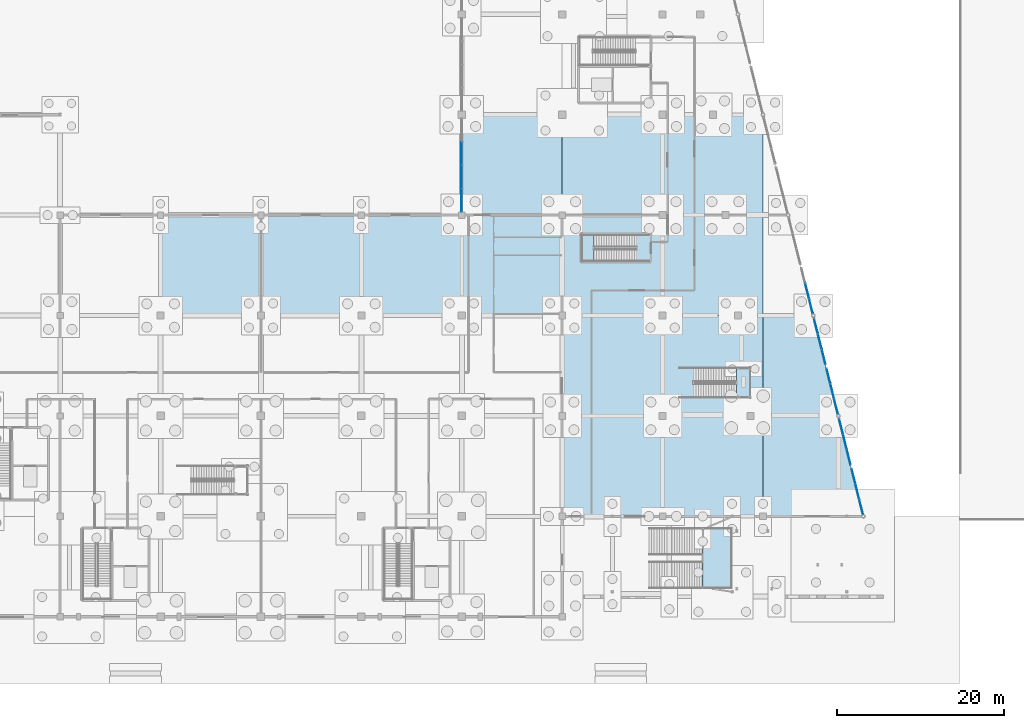
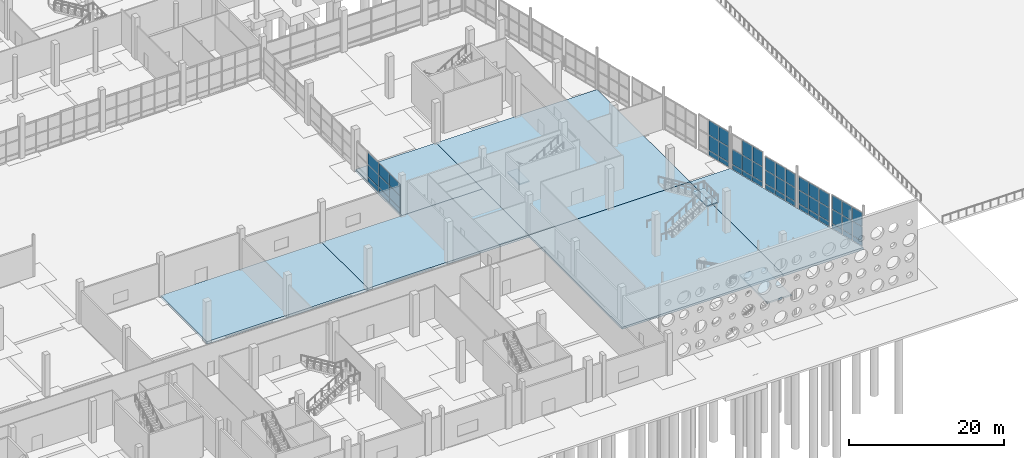
# One storey, part 66 of 117: 50 plates, 9 slabs, 9 elements without a shape of their own.
"""IFC4 building model written with IfcOpenShell, lengths in metres."""

import ifcopenshell
import ifcopenshell.guid

model = None  # the IFC model being written
_history = None  # IfcOwnerHistory: only IFC2X3 demands one
_inside = {}  # id of a spatial element -> (the spatial element, [elements in it])
_under = {}  # id of a project, library or spatial element -> (it, [spatial elements below it])
_declared = {}  # id of a project -> (the project, [libraries it declares])
_typed = {}  # id of a type object -> (the type object, [elements of that type])
_made_of = {}  # id of a material, layer set ... -> (it, [elements and type objects made of it])


def new_model(schema):
    """Start an empty IFC model of exactly this schema.

    Asked for "IFC4X3", IfcOpenShell would pick the latest addendum, in which some entities
    have other attributes; the version numbers below select the first issue.
    IFC2X3 requires an IfcOwnerHistory on every rooted entity: one is made here for all.
    """
    global model, _history
    if schema == "IFC4X3":
        model = ifcopenshell.file(schema_version=(4, 3, 0, 0))
    else:
        model = ifcopenshell.file(schema=schema)
    _inside.clear()
    _under.clear()
    _declared.clear()
    _typed.clear()
    _made_of.clear()
    _history = None
    if model.schema == "IFC2X3":
        org = make("IfcOrganization", Name="unknown")
        user = make(
            "IfcPersonAndOrganization",
            ThePerson=make("IfcPerson", FamilyName="unknown"),
            TheOrganization=org,
        )
        app = make(
            "IfcApplication",
            ApplicationDeveloper=org,
            Version="unknown",
            ApplicationFullName="unknown",
            ApplicationIdentifier="unknown",
        )
        _history = make(
            "IfcOwnerHistory",
            OwningUser=user,
            OwningApplication=app,
            ChangeAction="ADDED",
            CreationDate=0,
        )
    return model


def make(cls, **values):
    """One entity of the class cls with the attributes given. An attribute that is None is left unset."""
    return model.create_entity(
        cls, **{name: value for name, value in values.items() if value is not None}
    )


def rooted(cls, **values):
    """An entity with a GlobalId (a new one), such as an element, a storey or a relation."""
    return make(cls, GlobalId=ifcopenshell.guid.new(), OwnerHistory=_history, **values)


def si_unit(unit_type, name, prefix=None):
    """IfcSIUnit, for example si_unit("LENGTHUNIT", "METRE", prefix="MILLI")."""
    return make("IfcSIUnit", UnitType=unit_type, Prefix=prefix, Name=name)


def assignment(units):
    """IfcUnitAssignment: the units of a project."""
    return None if units is None else make("IfcUnitAssignment", Units=units)


def point(xyz):
    """IfcCartesianPoint."""
    return None if xyz is None else make("IfcCartesianPoint", Coordinates=xyz)


def direction(xyz):
    """IfcDirection."""
    return None if xyz is None else make("IfcDirection", DirectionRatios=xyz)


def frame(location, z_axis=None, x_axis=None):
    """IfcAxis2Placement3D, a coordinate frame: its origin and axes. An axis left out is left unset."""
    return make(
        "IfcAxis2Placement3D",
        Location=point(location),
        Axis=direction(z_axis),
        RefDirection=direction(x_axis),
    )


def frame_2d(location, x_axis=None):
    """IfcAxis2Placement2D, a coordinate frame in the plane: its origin and x axis."""
    return make(
        "IfcAxis2Placement2D", Location=point(location), RefDirection=direction(x_axis)
    )


def origin():
    """The frame at (0, 0, 0) with its axes left unset."""
    return frame((0.0, 0.0, 0.0))


def origin_2d():
    """The frame at (0, 0) in the plane with its x axis left unset."""
    return frame_2d((0.0, 0.0))


def place(relative_to, where):
    """IfcLocalPlacement: puts the frame where relative to a parent placement (None: the world)."""
    return make(
        "IfcLocalPlacement", PlacementRelTo=relative_to, RelativePlacement=where
    )


def context(
    kind, dimensions, precision=None, world=None, true_north=None, identifier=None
):
    """IfcGeometricRepresentationContext, for example the 3D "Model" context."""
    return make(
        "IfcGeometricRepresentationContext",
        ContextIdentifier=identifier,
        ContextType=kind,
        CoordinateSpaceDimension=dimensions,
        Precision=precision,
        WorldCoordinateSystem=world,
        TrueNorth=true_north,
    )


def subcontext(parent, identifier, kind, view, scale=None):
    """IfcGeometricRepresentationSubContext, for example "Body" below "Model"."""
    return make(
        "IfcGeometricRepresentationSubContext",
        ContextIdentifier=identifier,
        ContextType=kind,
        ParentContext=parent,
        TargetScale=scale,
        TargetView=view,
    )


def project(units=None, contexts=None):
    """IfcProject with its units and contexts."""
    return rooted(
        "IfcProject",
        Name="project",
        RepresentationContexts=contexts,
        UnitsInContext=assignment(units),
    )


def spatial(cls, under=None, at=None, **own):
    """A site, building, storey or space (cls), placed at a placement, below another one or the project."""
    s = rooted(cls, ObjectPlacement=at, **own)
    if under is not None:
        _under.setdefault(under.id(), (under, []))[1].append(s)
    return s


def polyline(points):
    """IfcPolyline through the points."""
    return make("IfcPolyline", Points=[point(p) for p in points])


def profile(cls, at=None, kind="AREA", **sizes):
    """A parametric profile (cls). Its sizes go by their IFC names, for example OverallWidth=200.0."""
    return make(cls, ProfileType=kind, Position=at, **sizes)


def rectangle(**sizes):
    """IfcRectangleProfileDef."""
    return profile("IfcRectangleProfileDef", **sizes)


def outline(outer, holes=None, kind="AREA"):
    """IfcArbitraryClosedProfileDef: a profile drawn as a closed curve; with holes, ...WithVoids."""
    if holes is None:
        return make("IfcArbitraryClosedProfileDef", ProfileType=kind, OuterCurve=outer)
    return make(
        "IfcArbitraryProfileDefWithVoids",
        ProfileType=kind,
        OuterCurve=outer,
        InnerCurves=holes,
    )


def extrude(swept, where, along, depth):
    """IfcExtrudedAreaSolid: the profile swept, set in the frame where, extruded along a direction by depth."""
    return make(
        "IfcExtrudedAreaSolid",
        SweptArea=swept,
        Position=where,
        ExtrudedDirection=direction(along),
        Depth=depth,
    )


def shape(context_of_items, identifier, shape_type, items):
    """IfcShapeRepresentation: the items that make up one representation, for example the "Body"."""
    return make(
        "IfcShapeRepresentation",
        ContextOfItems=context_of_items,
        RepresentationIdentifier=identifier,
        RepresentationType=shape_type,
        Items=items,
    )


def material(Name=None, Category=None):
    """IfcMaterial."""
    return make("IfcMaterial", Name=Name, Category=Category)


def layer(
    of_material, thickness, ventilated=None, Name=None, Category=None, Priority=None
):
    """IfcMaterialLayer: one layer of a wall or slab, of a material (None: an air gap)."""
    return make(
        "IfcMaterialLayer",
        Material=of_material,
        LayerThickness=thickness,
        IsVentilated=ventilated,
        Name=Name,
        Category=Category,
        Priority=Priority,
    )


def layer_set(layers, Name=None):
    """IfcMaterialLayerSet."""
    return make("IfcMaterialLayerSet", MaterialLayers=layers, LayerSetName=Name)


def made_of(thing, what):
    """Note that an element or type object is made of a material, layer set ...; save() writes the relation."""
    if what is not None:
        _made_of.setdefault(what.id(), (what, []))[1].append(thing)
    return thing


def type_object(cls, material=None, **own):
    """A type object (cls), such as IfcWallType, which elements share."""
    return made_of(rooted(cls, **own), material)


def element(
    cls,
    number,
    at=None,
    inside=None,
    cuts=None,
    type_object=None,
    material=None,
    context=None,
    identifier="Body",
    shape_type=None,
    held_by="IfcProductDefinitionShape",
    body=None,
    shapes=None,
    **own,
):
    """One element of the class cls, such as IfcWall. Its Tag is "e" and its number.

    at: its placement. inside: the storey or other place that contains it. cuts: it is an
    opening in that element (IfcRelVoidsElement). A single representation is given by context,
    identifier, shape_type and body (its items); several are given by shapes. held_by: the class
    of the entity that holds the representations. save() writes the other relations.
    """
    e = rooted(cls, Tag="e%d" % number, ObjectPlacement=at, **own)
    if body is not None:
        shapes = [shape(context, identifier, shape_type, body)]
    if shapes is not None:
        e.Representation = make(held_by, Representations=shapes)
    if inside is not None:
        _inside.setdefault(inside.id(), (inside, []))[1].append(e)
    if cuts is not None:
        rooted(
            "IfcRelVoidsElement", RelatingBuildingElement=cuts, RelatedOpeningElement=e
        )
    if type_object is not None:
        _typed.setdefault(type_object.id(), (type_object, []))[1].append(e)
    return made_of(e, material)


def aggregate(whole, parts):
    """IfcRelAggregates: a whole, such as a stair, and the parts it consists of."""
    return rooted("IfcRelAggregates", RelatingObject=whole, RelatedObjects=parts)


def save(model, path):
    """Write the relations noted so far, then the file.

    IfcRelAggregates (storeys below a building ...), IfcRelContainedInSpatialStructure (elements
    in a storey), IfcRelDefinesByType, IfcRelAssociatesMaterial and IfcRelDeclares: one each for
    every whole, place, type object, material and project.
    """
    for whole, parts in _under.values():
        aggregate(whole, parts)
    for where, things in _inside.values():
        rooted(
            "IfcRelContainedInSpatialStructure",
            RelatedElements=things,
            RelatingStructure=where,
        )
    for kind, things in _typed.values():
        rooted("IfcRelDefinesByType", RelatedObjects=things, RelatingType=kind)
    for what, things in _made_of.values():
        rooted("IfcRelAssociatesMaterial", RelatedObjects=things, RelatingMaterial=what)
    for by, libraries in _declared.values():
        rooted("IfcRelDeclares", RelatingContext=by, RelatedDefinitions=libraries)
    model.write(path)


model = new_model("IFC4")

# Units and contexts
model_context = context("Model", 3, precision=1e-05, world=origin(), true_north=direction((0.0, 1.0)))
body_context = subcontext(model_context, "Body", "Model", "MODEL_VIEW")
ifc_project = project(units=[si_unit("LENGTHUNIT", "METRE"), si_unit("AREAUNIT", "SQUARE_METRE"), si_unit("VOLUMEUNIT", "CUBIC_METRE"), si_unit("PLANEANGLEUNIT", "RADIAN"), si_unit("MASSUNIT", "GRAM", prefix="KILO")], contexts=[model_context])

# Site, building, storey
site_placement = place(None, origin())
site = spatial("IfcSite", under=ifc_project, at=site_placement, CompositionType="ELEMENT")
building_placement = place(site_placement, origin())
building = spatial("IfcBuilding", under=site, at=building_placement, Name="Kamomehara Wholesale Market", CompositionType="ELEMENT")
storey_placement = place(building_placement, origin())
storey = spatial("IfcBuildingStorey", under=building, at=storey_placement, Name="L00", CompositionType="ELEMENT", Elevation=0.0)

# Curtain wall, plates
ifc_material_1 = material(Name="Anodised aluminium 6063-T5", Category="aluminium")
curtain_wall_type_1 = type_object("IfcCurtainWallType", Name="CW-UN-09", PredefinedType="NOTDEFINED", material=ifc_material_1)
curtain_wall_1_placement = place(storey_placement, origin())
curtain_wall_1 = element("IfcCurtainWall", 1, at=curtain_wall_1_placement, inside=storey, type_object=curtain_wall_type_1, Name="Unitised curtain wall CW-159", PredefinedType="NOTDEFINED")
ifc_material_2 = material(Name="Solar-control Low-E double glazing", Category="glass")
ifc_layer_1 = layer(ifc_material_2, 0.028076171875)
ifc_layer_set_1 = layer_set([ifc_layer_1], Name="Solar-control Low-E double glazing")
plate_type_1 = type_object("IfcPlateType", Name="CW-PNL-GLZ", PredefinedType="CURTAIN_PANEL", material=ifc_layer_set_1)
plate_1_placement = place(storey_placement, frame((201.333984375, 34.74609375, 0.880615234375), z_axis=(0.0, 0.0, 1.0), x_axis=(0.242616162662, -0.970122362187, 0.0)))
plate_1 = element("IfcPlate", 2, at=plate_1_placement, type_object=plate_type_1, Name="Curtain panel CW-159.0.1", PredefinedType="CURTAIN_PANEL", context=body_context, shape_type="SweptSolid", body=[
    extrude(rectangle(XDim=1.81494140625, YDim=0.028076171875, at=origin_2d()), origin(), (0.0, 0.0, 1.0), 2.12890625),
])
plate_2_placement = place(storey_placement, frame((201.333984375, 34.74609375, 3.0693359375), z_axis=(0.0, 0.0, 1.0), x_axis=(0.242616162662, -0.970122362187, 0.0)))
plate_2 = element("IfcPlate", 3, at=plate_2_placement, type_object=plate_type_1, Name="Curtain panel CW-159.0.2", PredefinedType="CURTAIN_PANEL", context=body_context, shape_type="SweptSolid", body=[
    extrude(rectangle(XDim=1.81494140625, YDim=0.028076171875, at=origin_2d()), origin(), (0.0, 0.0, 1.0), 2.089111328125),
])
plate_3_placement = place(storey_placement, frame((201.7939453125, 32.907958984375, 0.880615234375), z_axis=(0.0, 0.0, 1.0), x_axis=(0.242616162662, -0.970122362187, 0.0)))
plate_3 = element("IfcPlate", 4, at=plate_3_placement, type_object=plate_type_1, Name="Curtain panel CW-159.1.1", PredefinedType="CURTAIN_PANEL", context=body_context, shape_type="SweptSolid", body=[
    extrude(rectangle(XDim=1.81494140625, YDim=0.028076171875, at=origin_2d()), origin(), (0.0, 0.0, 1.0), 2.12890625),
])
plate_4_placement = place(storey_placement, frame((201.7939453125, 32.907958984375, 3.0693359375), z_axis=(0.0, 0.0, 1.0), x_axis=(0.242616162662, -0.970122362187, 0.0)))
plate_4 = element("IfcPlate", 5, at=plate_4_placement, type_object=plate_type_1, Name="Curtain panel CW-159.1.2", PredefinedType="CURTAIN_PANEL", context=body_context, shape_type="SweptSolid", body=[
    extrude(rectangle(XDim=1.81494140625, YDim=0.028076171875, at=origin_2d()), origin(), (0.0, 0.0, 1.0), 2.089111328125),
])
plate_5_placement = place(storey_placement, frame((202.25390625, 31.070068359375, 0.880615234375), z_axis=(0.0, 0.0, 1.0), x_axis=(0.242616162662, -0.970122362187, 0.0)))
plate_5 = element("IfcPlate", 6, at=plate_5_placement, type_object=plate_type_1, Name="Curtain panel CW-159.2.1", PredefinedType="CURTAIN_PANEL", context=body_context, shape_type="SweptSolid", body=[
    extrude(rectangle(XDim=1.81494140625, YDim=0.028076171875, at=origin_2d()), origin(), (0.0, 0.0, 1.0), 2.12890625),
])
plate_6_placement = place(storey_placement, frame((202.25390625, 31.070068359375, 3.0693359375), z_axis=(0.0, 0.0, 1.0), x_axis=(0.242616162662, -0.970122362187, 0.0)))
plate_6 = element("IfcPlate", 7, at=plate_6_placement, type_object=plate_type_1, Name="Curtain panel CW-159.2.2", PredefinedType="CURTAIN_PANEL", context=body_context, shape_type="SweptSolid", body=[
    extrude(rectangle(XDim=1.81494140625, YDim=0.028076171875, at=origin_2d()), origin(), (0.0, 0.0, 1.0), 2.089111328125),
])

curtain_wall_2_placement = place(storey_placement, origin())
curtain_wall_2 = element("IfcCurtainWall", 8, at=curtain_wall_2_placement, inside=storey, type_object=curtain_wall_type_1, Name="Unitised curtain wall CW-160", PredefinedType="NOTDEFINED")
plate_7_placement = place(storey_placement, frame((202.83203125, 28.756103515625, 0.8798828125), z_axis=(0.0, 0.0, 1.0), x_axis=(0.242497638046, -0.970151996103, 0.0)))
plate_7 = element("IfcPlate", 9, at=plate_7_placement, type_object=plate_type_1, Name="Curtain panel CW-160.0.1", PredefinedType="CURTAIN_PANEL", context=body_context, shape_type="SweptSolid", body=[
    extrude(rectangle(XDim=1.7939453125, YDim=0.028076171875, at=origin_2d()), origin(), (0.0, 0.0, 1.0), 2.216064453125),
])
plate_8_placement = place(storey_placement, frame((202.83203125, 28.756103515625, 3.15673828125), z_axis=(0.0, 0.0, 1.0), x_axis=(0.242497638046, -0.970151996103, 0.0)))
plate_8 = element("IfcPlate", 10, at=plate_8_placement, type_object=plate_type_1, Name="Curtain panel CW-160.0.2", PredefinedType="CURTAIN_PANEL", context=body_context, shape_type="SweptSolid", body=[
    extrude(rectangle(XDim=1.7939453125, YDim=0.028076171875, at=origin_2d()), origin(), (0.0, 0.0, 1.0), 2.177001953125),
])
plate_9_placement = place(storey_placement, frame((203.285888671875, 26.93798828125, 0.8798828125), z_axis=(0.0, 0.0, 1.0), x_axis=(0.242497638046, -0.970151996103, 0.0)))
plate_9 = element("IfcPlate", 11, at=plate_9_placement, type_object=plate_type_1, Name="Curtain panel CW-160.1.1", PredefinedType="CURTAIN_PANEL", context=body_context, shape_type="SweptSolid", body=[
    extrude(rectangle(XDim=1.7939453125, YDim=0.028076171875, at=origin_2d()), origin(), (0.0, 0.0, 1.0), 2.216064453125),
])
plate_10_placement = place(storey_placement, frame((203.285888671875, 26.93798828125, 3.15673828125), z_axis=(0.0, 0.0, 1.0), x_axis=(0.242497638046, -0.970151996103, 0.0)))
plate_10 = element("IfcPlate", 12, at=plate_10_placement, type_object=plate_type_1, Name="Curtain panel CW-160.1.2", PredefinedType="CURTAIN_PANEL", context=body_context, shape_type="SweptSolid", body=[
    extrude(rectangle(XDim=1.7939453125, YDim=0.028076171875, at=origin_2d()), origin(), (0.0, 0.0, 1.0), 2.177001953125),
])
plate_11_placement = place(storey_placement, frame((203.739990234375, 25.12109375, 0.8798828125), z_axis=(0.0, 0.0, 1.0), x_axis=(0.242497638046, -0.970151996103, 0.0)))
plate_11 = element("IfcPlate", 13, at=plate_11_placement, type_object=plate_type_1, Name="Curtain panel CW-160.2.1", PredefinedType="CURTAIN_PANEL", context=body_context, shape_type="SweptSolid", body=[
    extrude(rectangle(XDim=1.7939453125, YDim=0.028076171875, at=origin_2d()), origin(), (0.0, 0.0, 1.0), 2.216064453125),
])
plate_12_placement = place(storey_placement, frame((203.739990234375, 25.12109375, 3.15673828125), z_axis=(0.0, 0.0, 1.0), x_axis=(0.242497638046, -0.970151996103, 0.0)))
plate_12 = element("IfcPlate", 14, at=plate_12_placement, type_object=plate_type_1, Name="Curtain panel CW-160.2.2", PredefinedType="CURTAIN_PANEL", context=body_context, shape_type="SweptSolid", body=[
    extrude(rectangle(XDim=1.7939453125, YDim=0.028076171875, at=origin_2d()), origin(), (0.0, 0.0, 1.0), 2.177001953125),
])

curtain_wall_3_placement = place(storey_placement, origin())
curtain_wall_3 = element("IfcCurtainWall", 15, at=curtain_wall_3_placement, inside=storey, type_object=curtain_wall_type_1, Name="Unitised curtain wall CW-161", PredefinedType="NOTDEFINED")
plate_13_placement = place(storey_placement, frame((198.333984375, 46.74609375, 0.8798828125), z_axis=(0.0, 0.0, 1.0), x_axis=(0.242616162662, -0.970122362187, 0.0)))
plate_13 = element("IfcPlate", 16, at=plate_13_placement, type_object=plate_type_1, Name="Curtain panel CW-161.0.1", PredefinedType="CURTAIN_PANEL", context=body_context, shape_type="SweptSolid", body=[
    extrude(rectangle(XDim=1.81494140625, YDim=0.028076171875, at=origin_2d()), origin(), (0.0, 0.0, 1.0), 2.35009765625),
])
plate_14_placement = place(storey_placement, frame((198.7939453125, 44.907958984375, 0.8798828125), z_axis=(0.0, 0.0, 1.0), x_axis=(0.242616162662, -0.970122362187, 0.0)))
plate_14 = element("IfcPlate", 17, at=plate_14_placement, type_object=plate_type_1, Name="Curtain panel CW-161.1.1", PredefinedType="CURTAIN_PANEL", context=body_context, shape_type="SweptSolid", body=[
    extrude(rectangle(XDim=1.81494140625, YDim=0.028076171875, at=origin_2d()), origin(), (0.0, 0.0, 1.0), 2.35009765625),
])
plate_15_placement = place(storey_placement, frame((198.7939453125, 44.907958984375, 3.2900390625), z_axis=(0.0, 0.0, 1.0), x_axis=(0.242616162662, -0.970122362187, 0.0)))
plate_15 = element("IfcPlate", 18, at=plate_15_placement, type_object=plate_type_1, Name="Curtain panel CW-161.1.2", PredefinedType="CURTAIN_PANEL", context=body_context, shape_type="SweptSolid", body=[
    extrude(rectangle(XDim=1.81494140625, YDim=0.028076171875, at=origin_2d()), origin(), (0.0, 0.0, 1.0), 2.31005859375),
])
plate_16_placement = place(storey_placement, frame((199.25390625, 43.070068359375, 0.8798828125), z_axis=(0.0, 0.0, 1.0), x_axis=(0.242616162662, -0.970122362187, 0.0)))
plate_16 = element("IfcPlate", 19, at=plate_16_placement, type_object=plate_type_1, Name="Curtain panel CW-161.2.1", PredefinedType="CURTAIN_PANEL", context=body_context, shape_type="SweptSolid", body=[
    extrude(rectangle(XDim=1.81494140625, YDim=0.028076171875, at=origin_2d()), origin(), (0.0, 0.0, 1.0), 2.35009765625),
])
plate_17_placement = place(storey_placement, frame((199.25390625, 43.070068359375, 3.2900390625), z_axis=(0.0, 0.0, 1.0), x_axis=(0.242616162662, -0.970122362187, 0.0)))
plate_17 = element("IfcPlate", 20, at=plate_17_placement, type_object=plate_type_1, Name="Curtain panel CW-161.2.2", PredefinedType="CURTAIN_PANEL", context=body_context, shape_type="SweptSolid", body=[
    extrude(rectangle(XDim=1.81494140625, YDim=0.028076171875, at=origin_2d()), origin(), (0.0, 0.0, 1.0), 2.31005859375),
])

curtain_wall_4_placement = place(storey_placement, origin())
curtain_wall_4 = element("IfcCurtainWall", 21, at=curtain_wall_4_placement, inside=storey, type_object=curtain_wall_type_1, Name="Unitised curtain wall CW-162", PredefinedType="NOTDEFINED")
plate_18_placement = place(storey_placement, frame((199.83203125, 40.756103515625, 0.880615234375), z_axis=(0.0, 0.0, 1.0), x_axis=(0.242497638046, -0.970151996103, 0.0)))
plate_18 = element("IfcPlate", 22, at=plate_18_placement, type_object=plate_type_1, Name="Curtain panel CW-162.0.1", PredefinedType="CURTAIN_PANEL", context=body_context, shape_type="SweptSolid", body=[
    extrude(rectangle(XDim=1.7939453125, YDim=0.028076171875, at=origin_2d()), origin(), (0.0, 0.0, 1.0), 2.12890625),
])
plate_19_placement = place(storey_placement, frame((199.83203125, 40.756103515625, 3.0693359375), z_axis=(0.0, 0.0, 1.0), x_axis=(0.242497638046, -0.970151996103, 0.0)))
plate_19 = element("IfcPlate", 23, at=plate_19_placement, type_object=plate_type_1, Name="Curtain panel CW-162.0.2", PredefinedType="CURTAIN_PANEL", context=body_context, shape_type="SweptSolid", body=[
    extrude(rectangle(XDim=1.7939453125, YDim=0.028076171875, at=origin_2d()), origin(), (0.0, 0.0, 1.0), 2.089111328125),
])
plate_20_placement = place(storey_placement, frame((200.285888671875, 38.93798828125, 0.880615234375), z_axis=(0.0, 0.0, 1.0), x_axis=(0.242497638046, -0.970151996103, 0.0)))
plate_20 = element("IfcPlate", 24, at=plate_20_placement, type_object=plate_type_1, Name="Curtain panel CW-162.1.1", PredefinedType="CURTAIN_PANEL", context=body_context, shape_type="SweptSolid", body=[
    extrude(rectangle(XDim=1.7939453125, YDim=0.028076171875, at=origin_2d()), origin(), (0.0, 0.0, 1.0), 2.12890625),
])
plate_21_placement = place(storey_placement, frame((200.285888671875, 38.93798828125, 3.0693359375), z_axis=(0.0, 0.0, 1.0), x_axis=(0.242497638046, -0.970151996103, 0.0)))
plate_21 = element("IfcPlate", 25, at=plate_21_placement, type_object=plate_type_1, Name="Curtain panel CW-162.1.2", PredefinedType="CURTAIN_PANEL", context=body_context, shape_type="SweptSolid", body=[
    extrude(rectangle(XDim=1.7939453125, YDim=0.028076171875, at=origin_2d()), origin(), (0.0, 0.0, 1.0), 2.089111328125),
])
plate_22_placement = place(storey_placement, frame((200.739990234375, 37.12109375, 0.880615234375), z_axis=(0.0, 0.0, 1.0), x_axis=(0.242497638046, -0.970151996103, 0.0)))
plate_22 = element("IfcPlate", 26, at=plate_22_placement, type_object=plate_type_1, Name="Curtain panel CW-162.2.1", PredefinedType="CURTAIN_PANEL", context=body_context, shape_type="SweptSolid", body=[
    extrude(rectangle(XDim=1.7939453125, YDim=0.028076171875, at=origin_2d()), origin(), (0.0, 0.0, 1.0), 2.12890625),
])
plate_23_placement = place(storey_placement, frame((200.739990234375, 37.12109375, 3.0693359375), z_axis=(0.0, 0.0, 1.0), x_axis=(0.242497638046, -0.970151996103, 0.0)))
plate_23 = element("IfcPlate", 27, at=plate_23_placement, type_object=plate_type_1, Name="Curtain panel CW-162.2.2", PredefinedType="CURTAIN_PANEL", context=body_context, shape_type="SweptSolid", body=[
    extrude(rectangle(XDim=1.7939453125, YDim=0.028076171875, at=origin_2d()), origin(), (0.0, 0.0, 1.0), 2.089111328125),
])

curtain_wall_5_placement = place(storey_placement, origin())
curtain_wall_5 = element("IfcCurtainWall", 28, at=curtain_wall_5_placement, inside=storey, type_object=curtain_wall_type_1, Name="Unitised curtain wall CW-164", PredefinedType="NOTDEFINED")
plate_24_placement = place(storey_placement, frame((197.285888671875, 50.93798828125, 0.8798828125), z_axis=(0.0, 0.0, 1.0), x_axis=(0.242497638046, -0.970151996103, 0.0)))
plate_24 = element("IfcPlate", 29, at=plate_24_placement, type_object=plate_type_1, Name="Curtain panel CW-164.1.1", PredefinedType="CURTAIN_PANEL", context=body_context, shape_type="SweptSolid", body=[
    extrude(rectangle(XDim=1.7939453125, YDim=0.028076171875, at=origin_2d()), origin(), (0.0, 0.0, 1.0), 2.35009765625),
])
plate_25_placement = place(storey_placement, frame((197.285888671875, 50.93798828125, 3.2900390625), z_axis=(0.0, 0.0, 1.0), x_axis=(0.242497638046, -0.970151996103, 0.0)))
plate_25 = element("IfcPlate", 30, at=plate_25_placement, type_object=plate_type_1, Name="Curtain panel CW-164.1.2", PredefinedType="CURTAIN_PANEL", context=body_context, shape_type="SweptSolid", body=[
    extrude(rectangle(XDim=1.7939453125, YDim=0.028076171875, at=origin_2d()), origin(), (0.0, 0.0, 1.0), 2.31005859375),
])
plate_26_placement = place(storey_placement, frame((197.739990234375, 49.12109375, 0.8798828125), z_axis=(0.0, 0.0, 1.0), x_axis=(0.242497638046, -0.970151996103, 0.0)))
plate_26 = element("IfcPlate", 31, at=plate_26_placement, type_object=plate_type_1, Name="Curtain panel CW-164.2.1", PredefinedType="CURTAIN_PANEL", context=body_context, shape_type="SweptSolid", body=[
    extrude(rectangle(XDim=1.7939453125, YDim=0.028076171875, at=origin_2d()), origin(), (0.0, 0.0, 1.0), 2.35009765625),
])
plate_27_placement = place(storey_placement, frame((197.739990234375, 49.12109375, 3.2900390625), z_axis=(0.0, 0.0, 1.0), x_axis=(0.242497638046, -0.970151996103, 0.0)))
plate_27 = element("IfcPlate", 32, at=plate_27_placement, type_object=plate_type_1, Name="Curtain panel CW-164.2.2", PredefinedType="CURTAIN_PANEL", context=body_context, shape_type="SweptSolid", body=[
    extrude(rectangle(XDim=1.7939453125, YDim=0.028076171875, at=origin_2d()), origin(), (0.0, 0.0, 1.0), 2.31005859375),
])

ifc_material_3 = material(Name="Anodised aluminium 6063-T5", Category="aluminium")
curtain_wall_type_2 = type_object("IfcCurtainWallType", Name="CW-UN-01", PredefinedType="NOTDEFINED", material=ifc_material_3)
curtain_wall_6_placement = place(storey_placement, origin())
curtain_wall_6 = element("IfcCurtainWall", 33, at=curtain_wall_6_placement, inside=storey, type_object=curtain_wall_type_2, Name="Unitised curtain wall CW-174", PredefinedType="NOTDEFINED")
plate_28_placement = place(storey_placement, frame((155.97998046875, 61.781982421875, 0.88037109375), z_axis=(0.0, 0.0, 1.0), x_axis=(0.0, 1.0, 0.0)))
plate_28 = element("IfcPlate", 34, at=plate_28_placement, type_object=plate_type_1, Name="Curtain panel CW-174.0.1", PredefinedType="CURTAIN_PANEL", context=body_context, shape_type="SweptSolid", body=[
    extrude(rectangle(XDim=2.715087890625, YDim=0.028076171875, at=origin_2d()), origin(), (0.0, 0.0, 1.0), 1.888916015625),
])
plate_29_placement = place(storey_placement, frame((155.97998046875, 61.781982421875, 2.828369140625), z_axis=(0.0, 0.0, 1.0), x_axis=(0.0, 1.0, 0.0)))
plate_29 = element("IfcPlate", 35, at=plate_29_placement, type_object=plate_type_1, Name="Curtain panel CW-174.0.2", PredefinedType="CURTAIN_PANEL", context=body_context, shape_type="SweptSolid", body=[
    extrude(rectangle(XDim=2.715087890625, YDim=0.028076171875, at=origin_2d()), origin(), (0.0, 0.0, 1.0), 1.84912109375),
])
plate_30_placement = place(storey_placement, frame((155.97998046875, 64.577880859375, 0.88037109375), z_axis=(0.0, 0.0, 1.0), x_axis=(0.0, 1.0, 0.0)))
plate_30 = element("IfcPlate", 36, at=plate_30_placement, type_object=plate_type_1, Name="Curtain panel CW-174.1.1", PredefinedType="CURTAIN_PANEL", context=body_context, shape_type="SweptSolid", body=[
    extrude(rectangle(XDim=2.715087890625, YDim=0.028076171875, at=origin_2d()), origin(), (0.0, 0.0, 1.0), 1.888916015625),
])
plate_31_placement = place(storey_placement, frame((155.97998046875, 64.577880859375, 2.828369140625), z_axis=(0.0, 0.0, 1.0), x_axis=(0.0, 1.0, 0.0)))
plate_31 = element("IfcPlate", 37, at=plate_31_placement, type_object=plate_type_1, Name="Curtain panel CW-174.1.2", PredefinedType="CURTAIN_PANEL", context=body_context, shape_type="SweptSolid", body=[
    extrude(rectangle(XDim=2.715087890625, YDim=0.028076171875, at=origin_2d()), origin(), (0.0, 0.0, 1.0), 1.84912109375),
])
plate_32_placement = place(storey_placement, frame((155.97998046875, 67.373046875, 0.88037109375), z_axis=(0.0, 0.0, 1.0), x_axis=(0.0, 1.0, 0.0)))
plate_32 = element("IfcPlate", 38, at=plate_32_placement, type_object=plate_type_1, Name="Curtain panel CW-174.2.1", PredefinedType="CURTAIN_PANEL", context=body_context, shape_type="SweptSolid", body=[
    extrude(rectangle(XDim=2.715087890625, YDim=0.028076171875, at=origin_2d()), origin(), (0.0, 0.0, 1.0), 1.888916015625),
])
plate_33_placement = place(storey_placement, frame((155.97998046875, 67.373046875, 2.828369140625), z_axis=(0.0, 0.0, 1.0), x_axis=(0.0, 1.0, 0.0)))
plate_33 = element("IfcPlate", 39, at=plate_33_placement, type_object=plate_type_1, Name="Curtain panel CW-174.2.2", PredefinedType="CURTAIN_PANEL", context=body_context, shape_type="SweptSolid", body=[
    extrude(rectangle(XDim=2.715087890625, YDim=0.028076171875, at=origin_2d()), origin(), (0.0, 0.0, 1.0), 1.84912109375),
])

# Plate
ifc_material_4 = material(Name="Insulated aluminium spandrel panel", Category="aluminium")
ifc_layer_2 = layer(ifc_material_4, 0.0400390625)
ifc_layer_set_2 = layer_set([ifc_layer_2], Name="Insulated aluminium spandrel panel")
plate_type_2 = type_object("IfcPlateType", Name="CW-PNL-SPN", PredefinedType="CURTAIN_PANEL", material=ifc_layer_set_2)
plate_34_placement = place(storey_placement, frame((201.333984375, 34.74609375, 0.070068359375), z_axis=(0.0, 0.0, 1.0), x_axis=(0.242616162662, -0.970122362187, 0.0)))
plate_34 = element("IfcPlate", 40, at=plate_34_placement, type_object=plate_type_2, Name="Curtain panel CW-159.0.0", PredefinedType="CURTAIN_PANEL", context=body_context, shape_type="SweptSolid", body=[
    extrude(rectangle(XDim=1.81494140625, YDim=0.0400390625, at=origin_2d()), origin(), (0.0, 0.0, 1.0), 0.75),
])

plate_35_placement = place(storey_placement, frame((201.7939453125, 32.907958984375, 0.070068359375), z_axis=(0.0, 0.0, 1.0), x_axis=(0.242616162662, -0.970122362187, 0.0)))
plate_35 = element("IfcPlate", 41, at=plate_35_placement, type_object=plate_type_2, Name="Curtain panel CW-159.1.0", PredefinedType="CURTAIN_PANEL", context=body_context, shape_type="SweptSolid", body=[
    extrude(rectangle(XDim=1.81494140625, YDim=0.0400390625, at=origin_2d()), origin(), (0.0, 0.0, 1.0), 0.75),
])

plate_36_placement = place(storey_placement, frame((202.25390625, 31.070068359375, 0.070068359375), z_axis=(0.0, 0.0, 1.0), x_axis=(0.242616162662, -0.970122362187, 0.0)))
plate_36 = element("IfcPlate", 42, at=plate_36_placement, type_object=plate_type_2, Name="Curtain panel CW-159.2.0", PredefinedType="CURTAIN_PANEL", context=body_context, shape_type="SweptSolid", body=[
    extrude(rectangle(XDim=1.81494140625, YDim=0.0400390625, at=origin_2d()), origin(), (0.0, 0.0, 1.0), 0.75),
])

aggregate(curtain_wall_1, [plate_34, plate_1, plate_2, plate_35, plate_3, plate_4, plate_36, plate_5, plate_6])

plate_37_placement = place(storey_placement, frame((202.83203125, 28.756103515625, 0.070068359375), z_axis=(0.0, 0.0, 1.0), x_axis=(0.242497638046, -0.970151996103, 0.0)))
plate_37 = element("IfcPlate", 43, at=plate_37_placement, type_object=plate_type_2, Name="Curtain panel CW-160.0.0", PredefinedType="CURTAIN_PANEL", context=body_context, shape_type="SweptSolid", body=[
    extrude(rectangle(XDim=1.7939453125, YDim=0.0400390625, at=origin_2d()), origin(), (0.0, 0.0, 1.0), 0.75),
])

plate_38_placement = place(storey_placement, frame((203.285888671875, 26.93798828125, 0.070068359375), z_axis=(0.0, 0.0, 1.0), x_axis=(0.242497638046, -0.970151996103, 0.0)))
plate_38 = element("IfcPlate", 44, at=plate_38_placement, type_object=plate_type_2, Name="Curtain panel CW-160.1.0", PredefinedType="CURTAIN_PANEL", context=body_context, shape_type="SweptSolid", body=[
    extrude(rectangle(XDim=1.7939453125, YDim=0.0400390625, at=origin_2d()), origin(), (0.0, 0.0, 1.0), 0.75),
])

plate_39_placement = place(storey_placement, frame((203.739990234375, 25.12109375, 0.070068359375), z_axis=(0.0, 0.0, 1.0), x_axis=(0.242497638046, -0.970151996103, 0.0)))
plate_39 = element("IfcPlate", 45, at=plate_39_placement, type_object=plate_type_2, Name="Curtain panel CW-160.2.0", PredefinedType="CURTAIN_PANEL", context=body_context, shape_type="SweptSolid", body=[
    extrude(rectangle(XDim=1.7939453125, YDim=0.0400390625, at=origin_2d()), origin(), (0.0, 0.0, 1.0), 0.75),
])

aggregate(curtain_wall_2, [plate_37, plate_7, plate_8, plate_38, plate_9, plate_10, plate_39, plate_11, plate_12])

plate_40_placement = place(storey_placement, frame((198.333984375, 46.74609375, 0.070068359375), z_axis=(0.0, 0.0, 1.0), x_axis=(0.242616162662, -0.970122362187, 0.0)))
plate_40 = element("IfcPlate", 46, at=plate_40_placement, type_object=plate_type_2, Name="Curtain panel CW-161.0.0", PredefinedType="CURTAIN_PANEL", context=body_context, shape_type="SweptSolid", body=[
    extrude(rectangle(XDim=1.81494140625, YDim=0.0400390625, at=origin_2d()), origin(), (0.0, 0.0, 1.0), 0.75),
])

plate_41_placement = place(storey_placement, frame((198.7939453125, 44.907958984375, 0.070068359375), z_axis=(0.0, 0.0, 1.0), x_axis=(0.242616162662, -0.970122362187, 0.0)))
plate_41 = element("IfcPlate", 47, at=plate_41_placement, type_object=plate_type_2, Name="Curtain panel CW-161.1.0", PredefinedType="CURTAIN_PANEL", context=body_context, shape_type="SweptSolid", body=[
    extrude(rectangle(XDim=1.81494140625, YDim=0.0400390625, at=origin_2d()), origin(), (0.0, 0.0, 1.0), 0.75),
])

plate_42_placement = place(storey_placement, frame((199.25390625, 43.070068359375, 0.070068359375), z_axis=(0.0, 0.0, 1.0), x_axis=(0.242616162662, -0.970122362187, 0.0)))
plate_42 = element("IfcPlate", 48, at=plate_42_placement, type_object=plate_type_2, Name="Curtain panel CW-161.2.0", PredefinedType="CURTAIN_PANEL", context=body_context, shape_type="SweptSolid", body=[
    extrude(rectangle(XDim=1.81494140625, YDim=0.0400390625, at=origin_2d()), origin(), (0.0, 0.0, 1.0), 0.75),
])

aggregate(curtain_wall_3, [plate_40, plate_13, plate_41, plate_14, plate_15, plate_42, plate_16, plate_17])

plate_43_placement = place(storey_placement, frame((199.83203125, 40.756103515625, 0.070068359375), z_axis=(0.0, 0.0, 1.0), x_axis=(0.242497638046, -0.970151996103, 0.0)))
plate_43 = element("IfcPlate", 49, at=plate_43_placement, type_object=plate_type_2, Name="Curtain panel CW-162.0.0", PredefinedType="CURTAIN_PANEL", context=body_context, shape_type="SweptSolid", body=[
    extrude(rectangle(XDim=1.7939453125, YDim=0.0400390625, at=origin_2d()), origin(), (0.0, 0.0, 1.0), 0.75),
])

plate_44_placement = place(storey_placement, frame((200.285888671875, 38.93798828125, 0.070068359375), z_axis=(0.0, 0.0, 1.0), x_axis=(0.242497638046, -0.970151996103, 0.0)))
plate_44 = element("IfcPlate", 50, at=plate_44_placement, type_object=plate_type_2, Name="Curtain panel CW-162.1.0", PredefinedType="CURTAIN_PANEL", context=body_context, shape_type="SweptSolid", body=[
    extrude(rectangle(XDim=1.7939453125, YDim=0.0400390625, at=origin_2d()), origin(), (0.0, 0.0, 1.0), 0.75),
])

plate_45_placement = place(storey_placement, frame((200.739990234375, 37.12109375, 0.070068359375), z_axis=(0.0, 0.0, 1.0), x_axis=(0.242497638046, -0.970151996103, 0.0)))
plate_45 = element("IfcPlate", 51, at=plate_45_placement, type_object=plate_type_2, Name="Curtain panel CW-162.2.0", PredefinedType="CURTAIN_PANEL", context=body_context, shape_type="SweptSolid", body=[
    extrude(rectangle(XDim=1.7939453125, YDim=0.0400390625, at=origin_2d()), origin(), (0.0, 0.0, 1.0), 0.75),
])

aggregate(curtain_wall_4, [plate_43, plate_18, plate_19, plate_44, plate_20, plate_21, plate_45, plate_22, plate_23])

plate_46_placement = place(storey_placement, frame((197.285888671875, 50.93798828125, 0.070068359375), z_axis=(0.0, 0.0, 1.0), x_axis=(0.242497638046, -0.970151996103, 0.0)))
plate_46 = element("IfcPlate", 52, at=plate_46_placement, type_object=plate_type_2, Name="Curtain panel CW-164.1.0", PredefinedType="CURTAIN_PANEL", context=body_context, shape_type="SweptSolid", body=[
    extrude(rectangle(XDim=1.7939453125, YDim=0.0400390625, at=origin_2d()), origin(), (0.0, 0.0, 1.0), 0.75),
])

plate_47_placement = place(storey_placement, frame((197.739990234375, 49.12109375, 0.070068359375), z_axis=(0.0, 0.0, 1.0), x_axis=(0.242497638046, -0.970151996103, 0.0)))
plate_47 = element("IfcPlate", 53, at=plate_47_placement, type_object=plate_type_2, Name="Curtain panel CW-164.2.0", PredefinedType="CURTAIN_PANEL", context=body_context, shape_type="SweptSolid", body=[
    extrude(rectangle(XDim=1.7939453125, YDim=0.0400390625, at=origin_2d()), origin(), (0.0, 0.0, 1.0), 0.75),
])

aggregate(curtain_wall_5, [plate_46, plate_24, plate_25, plate_47, plate_26, plate_27])

plate_48_placement = place(storey_placement, frame((155.97998046875, 61.781982421875, 0.070068359375), z_axis=(0.0, 0.0, 1.0), x_axis=(0.0, 1.0, 0.0)))
plate_48 = element("IfcPlate", 54, at=plate_48_placement, type_object=plate_type_2, Name="Curtain panel CW-174.0.0", PredefinedType="CURTAIN_PANEL", context=body_context, shape_type="SweptSolid", body=[
    extrude(rectangle(XDim=2.715087890625, YDim=0.0400390625, at=origin_2d()), origin(), (0.0, 0.0, 1.0), 0.75),
])

plate_49_placement = place(storey_placement, frame((155.97998046875, 64.577880859375, 0.070068359375), z_axis=(0.0, 0.0, 1.0), x_axis=(0.0, 1.0, 0.0)))
plate_49 = element("IfcPlate", 55, at=plate_49_placement, type_object=plate_type_2, Name="Curtain panel CW-174.1.0", PredefinedType="CURTAIN_PANEL", context=body_context, shape_type="SweptSolid", body=[
    extrude(rectangle(XDim=2.715087890625, YDim=0.0400390625, at=origin_2d()), origin(), (0.0, 0.0, 1.0), 0.75),
])

plate_50_placement = place(storey_placement, frame((155.97998046875, 67.373046875, 0.070068359375), z_axis=(0.0, 0.0, 1.0), x_axis=(0.0, 1.0, 0.0)))
plate_50 = element("IfcPlate", 56, at=plate_50_placement, type_object=plate_type_2, Name="Curtain panel CW-174.2.0", PredefinedType="CURTAIN_PANEL", context=body_context, shape_type="SweptSolid", body=[
    extrude(rectangle(XDim=2.715087890625, YDim=0.0400390625, at=origin_2d()), origin(), (0.0, 0.0, 1.0), 0.75),
])

aggregate(curtain_wall_6, [plate_48, plate_28, plate_29, plate_49, plate_30, plate_31, plate_50, plate_32, plate_33])

# Slabs
ifc_material_5 = material(Name="Concrete Fc30 (C30/37)", Category="concrete")
ifc_layer_3 = layer(ifc_material_5, 0.31201171875)
ifc_layer_set_3 = layer_set([ifc_layer_3], Name="Concrete Fc30 (C30/37)")
slab_type_1 = type_object("IfcSlabType", Name="SLB-BASE-300", PredefinedType="BASESLAB", material=ifc_layer_set_3)
slab_1_placement = place(storey_placement, frame((0.0, 0.0, -0.31201171875)))
element("IfcSlab", 57, at=slab_1_placement, inside=storey, type_object=slab_type_1, Name="Floor slab V2 L00 60", PredefinedType="BASESLAB", context=body_context, shape_type="SweptSolid", body=[
    extrude(outline(polyline([(192.0, 48.0), (168.0, 48.0), (168.0, 60.0), (168.0, 72.0), (192.0, 72.0), (192.0, 48.0)])), origin(), (0.0, 0.0, 1.0), 0.31201171875),
])
ifc_material_6 = material(Name="Concrete Fc30 (C30/37)", Category="concrete")
ifc_layer_4 = layer(ifc_material_6, 0.324951171875)
ifc_layer_set_4 = layer_set([ifc_layer_4], Name="Concrete Fc30 (C30/37)")
slab_type_2 = type_object("IfcSlabType", Name="SLB-BASE-325", PredefinedType="BASESLAB", material=ifc_layer_set_4)
slab_2_placement = place(storey_placement, frame((0.0, 0.0, -0.324951171875)))
element("IfcSlab", 58, at=slab_2_placement, inside=storey, type_object=slab_type_2, Name="Floor slab V2 L00 59", PredefinedType="BASESLAB", context=body_context, shape_type="SweptSolid", body=[
    extrude(outline(polyline([(192.0, 48.0), (192.0, 24.0), (168.0, 24.0), (168.0, 48.0), (192.0, 48.0)])), origin(), (0.0, 0.0, 1.0), 0.324951171875),
])
ifc_material_7 = material(Name="Concrete Fc30 (C30/37)", Category="concrete")
ifc_layer_5 = layer(ifc_material_7, 0.35009765625)
ifc_layer_set_5 = layer_set([ifc_layer_5], Name="Concrete Fc30 (C30/37)")
slab_type_3 = type_object("IfcSlabType", Name="SLB-BASE-350", PredefinedType="BASESLAB", material=ifc_layer_set_5)
slab_3_placement = place(storey_placement, frame((0.0, 0.0, -0.35009765625)))
element("IfcSlab", 59, at=slab_3_placement, inside=storey, type_object=slab_type_3, Name="Floor slab V5 L00 56", PredefinedType="BASESLAB", context=body_context, shape_type="SweptSolid", body=[
    extrude(outline(polyline([(168.0, 48.0), (144.0, 48.0), (144.0, 60.0), (168.0, 60.0), (168.0, 48.0)])), origin(), (0.0, 0.0, 1.0), 0.35009765625),
])
ifc_material_8 = material(Name="Concrete Fc30 (C30/37)", Category="concrete")
ifc_layer_6 = layer(ifc_material_8, 0.3798828125)
ifc_layer_set_6 = layer_set([ifc_layer_6], Name="Concrete Fc30 (C30/37)")
slab_type_4 = type_object("IfcSlabType", Name="SLB-BASE-380", PredefinedType="BASESLAB", material=ifc_layer_set_6)
slab_4_placement = place(storey_placement, frame((0.0, 0.0, -0.3798828125)))
element("IfcSlab", 60, at=slab_4_placement, inside=storey, type_object=slab_type_4, Name="Floor slab V2 L00 57", PredefinedType="BASESLAB", context=body_context, shape_type="SweptSolid", body=[
    extrude(outline(polyline([(168.0, 72.0), (168.0, 60.0), (156.0, 60.0), (156.0, 72.0), (168.0, 72.0)])), origin(), (0.0, 0.0, 1.0), 0.3798828125),
])
slab_5_placement = place(storey_placement, frame((0.0, 0.0, -0.3798828125)))
element("IfcSlab", 61, at=slab_5_placement, inside=storey, type_object=slab_type_4, Name="Floor slab V2 L00 62", PredefinedType="BASESLAB", context=body_context, shape_type="SweptSolid", body=[
    extrude(outline(polyline([(192.0, 48.0), (198.0, 48.0), (201.0, 36.0), (204.0, 24.0), (192.0, 24.0), (192.0, 48.0)])), origin(), (0.0, 0.0, 1.0), 0.3798828125),
])
ifc_material_9 = material(Name="Concrete Fc30 (C30/37)", Category="concrete")
ifc_layer_7 = layer(ifc_material_9, 0.39990234375)
ifc_layer_set_7 = layer_set([ifc_layer_7], Name="Concrete Fc30 (C30/37)")
slab_type_5 = type_object("IfcSlabType", Name="SLB-BASE-400", PredefinedType="BASESLAB", material=ifc_layer_set_7)
slab_6_placement = place(storey_placement, frame((0.0, 0.0, -0.39990234375)))
element("IfcSlab", 62, at=slab_6_placement, inside=storey, type_object=slab_type_5, Name="Floor slab V5 L00 53", PredefinedType="BASESLAB", context=body_context, shape_type="SweptSolid", body=[
    extrude(outline(polyline([(144.0, 48.0), (120.0, 48.0), (120.0, 60.0), (144.0, 60.0), (144.0, 48.0)])), origin(), (0.0, 0.0, 1.0), 0.39990234375),
])

# Stair, slab
ifc_material_10 = material(Name="Concrete Fc36 (C35/45)", Category="concrete")
stair_type_1 = type_object("IfcStairType", Name="STR-DL-03", PredefinedType="HALF_TURN_STAIR", material=ifc_material_10)
stair_1_placement = place(storey_placement, origin())
stair_1 = element("IfcStair", 63, at=stair_1_placement, inside=storey, type_object=stair_type_1, Name="L00 Exit stair ST-10", PredefinedType="HALF_TURN_STAIR")
ifc_material_11 = material(Name="Concrete Fc36 (C35/45)", Category="concrete")
ifc_layer_8 = layer(ifc_material_11, 0.199951171875)
ifc_layer_set_8 = layer_set([ifc_layer_8], Name="Concrete Fc36 (C35/45)")
slab_type_6 = type_object("IfcSlabType", Name="SLB-LND-200", PredefinedType="LANDING", material=ifc_layer_set_8)
slab_7_placement = place(storey_placement, frame((0.0, 0.0, 3.10009765625)))
slab_7 = element("IfcSlab", 64, at=slab_7_placement, type_object=slab_type_6, Name="ST-10 landing 1", PredefinedType="LANDING", context=body_context, shape_type="SweptSolid", body=[
    extrude(outline(polyline([(171.81494140625, 57.64990234375), (170.330078125, 57.64990234375), (170.330078125, 54.47998046875), (171.81494140625, 54.47998046875), (171.81494140625, 57.64990234375)])), origin(), (0.0, 0.0, 1.0), 0.199951171875),
])
aggregate(stair_1, [slab_7])

ifc_material_12 = material(Name="Concrete Fc36 (C35/45)", Category="concrete")
stair_type_2 = type_object("IfcStairType", Name="STR-DL-08", PredefinedType="HALF_TURN_STAIR", material=ifc_material_12)
stair_2_placement = place(storey_placement, origin())
stair_2 = element("IfcStair", 65, at=stair_2_placement, inside=storey, type_object=stair_type_2, Name="L00 Exit stair ST-18", PredefinedType="HALF_TURN_STAIR")
slab_8_placement = place(storey_placement, frame((0.0, 0.0, 3.10009765625)))
slab_8 = element("IfcSlab", 66, at=slab_8_placement, type_object=slab_type_6, Name="ST-18 landing 1", PredefinedType="LANDING", context=body_context, shape_type="SweptSolid", body=[
    extrude(outline(polyline([(188.81005859375, 38.14990234375), (190.52001953125, 38.14990234375), (190.52001953125, 41.77001953125), (188.81005859375, 41.77001953125), (188.81005859375, 38.14990234375)])), origin(), (0.0, 0.0, 1.0), 0.199951171875),
])
aggregate(stair_2, [slab_8])

ifc_material_13 = material(Name="Concrete Fc36 (C35/45)", Category="concrete")
stair_type_3 = type_object("IfcStairType", Name="STR-DL-09", PredefinedType="HALF_TURN_STAIR", material=ifc_material_13)
stair_3_placement = place(storey_placement, origin())
stair_3 = element("IfcStair", 67, at=stair_3_placement, inside=storey, type_object=stair_type_3, Name="Exterior ceremonial stair ST-19", PredefinedType="HALF_TURN_STAIR")
ifc_material_14 = material(Name="Concrete Fc36 (C35/45)", Category="concrete")
ifc_layer_9 = layer(ifc_material_14, 0.239990234375)
ifc_layer_set_9 = layer_set([ifc_layer_9], Name="Concrete Fc36 (C35/45)")
slab_type_7 = type_object("IfcSlabType", Name="SLB-LND-240", PredefinedType="LANDING", material=ifc_layer_set_9)
slab_9_placement = place(storey_placement, frame((0.0, 0.0, 3.06005859375)))
slab_9 = element("IfcSlab", 68, at=slab_9_placement, type_object=slab_type_7, Name="ST-19 landing 1", PredefinedType="LANDING", context=body_context, shape_type="SweptSolid", body=[
    extrude(outline(polyline([(184.699951171875, 15.39990234375), (188.300048828125, 15.39990234375), (188.300048828125, 22.60009765625), (184.699951171875, 22.60009765625), (184.699951171875, 15.39990234375)])), origin(), (0.0, 0.0, 1.0), 0.239990234375),
])
aggregate(stair_3, [slab_9])

save(model, "model.ifc")
